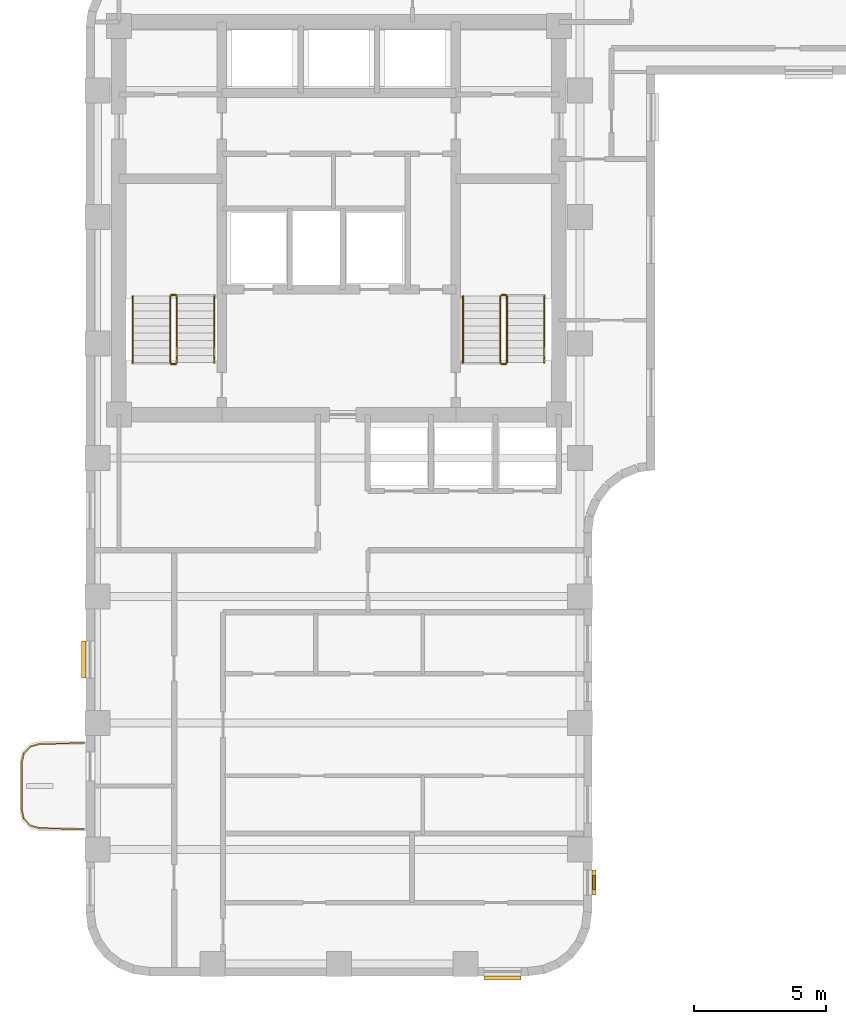
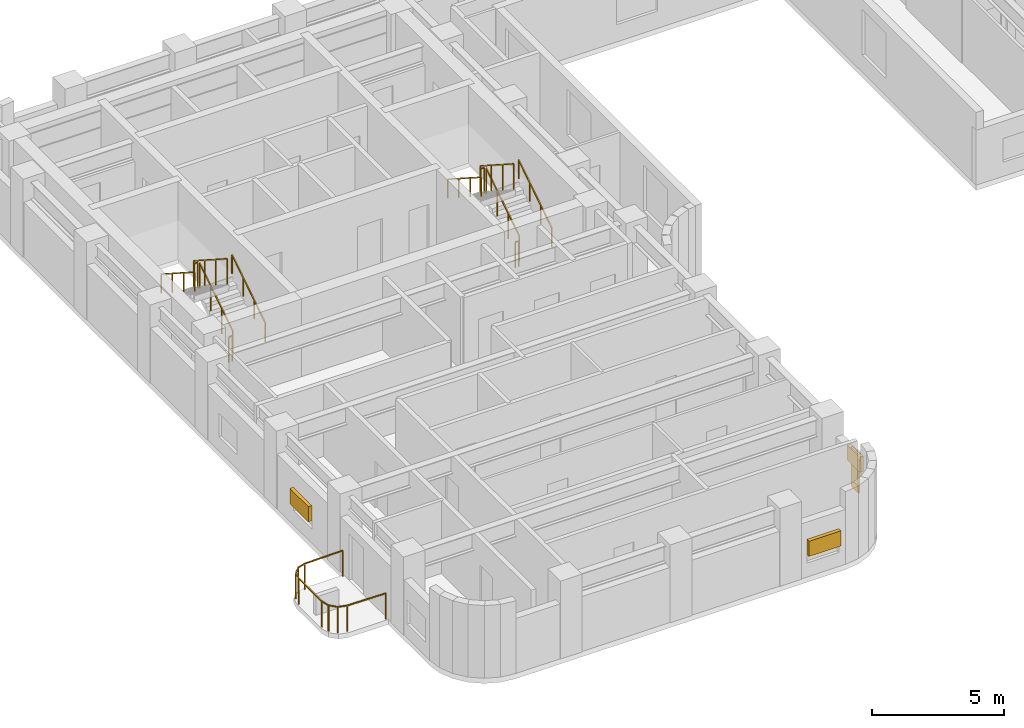
# One storey, part 7 of 9: 13 railings, 4 shading devices.
"""IFC4 building model written with IfcOpenShell, lengths in metres."""

from ifc_helpers import new_model, si_unit, direction, frame, origin, origin_2d, place, context, subcontext, project, spatial, rectangle, extrude, material, type_object, element, save


model = new_model("IFC4")

# Units and contexts
model_context = context("Model", 3, precision=1e-05, world=origin(), true_north=direction((0.0, 1.0)))
body_context = subcontext(model_context, "Body", "Model", "MODEL_VIEW")
ifc_project = project(units=[si_unit("LENGTHUNIT", "METRE"), si_unit("AREAUNIT", "SQUARE_METRE"), si_unit("VOLUMEUNIT", "CUBIC_METRE"), si_unit("PLANEANGLEUNIT", "RADIAN"), si_unit("MASSUNIT", "GRAM", prefix="KILO")], contexts=[model_context])

# Site, building, storey
site_placement = place(None, origin())
site = spatial("IfcSite", under=ifc_project, at=site_placement, CompositionType="ELEMENT")
building_placement = place(site_placement, origin())
building = spatial("IfcBuilding", under=site, at=building_placement, Name="Orvandelia Arch Residences", CompositionType="ELEMENT")
storey_placement = place(building_placement, frame((0.0, 0.0, 186.39990234375)))
storey = spatial("IfcBuildingStorey", under=building, at=storey_placement, Name="L49", CompositionType="ELEMENT", Elevation=186.39990234375)

# Railings
ifc_material_1 = material(Name="Marine-Grade Stainless Steel 316", Category="steel")
railing_type_1 = type_object("IfcRailingType", Name="GRD-BAL-1200", PredefinedType="BALUSTRADE", material=ifc_material_1)
railing_1_placement = place(storey_placement, frame((4.728271484375, 18.430419921875, 0.0)))
element("IfcRailing", 1, at=railing_1_placement, inside=storey, type_object=railing_type_1, Name="Safety Balustrade Guard GRD-L49-BAL-L49-W1-1", PredefinedType="BALUSTRADE", context=body_context, shape_type="SweptSolid", body=[
    extrude(rectangle(XDim=0.048095703125, YDim=0.048095703125, at=origin_2d()), frame((0.0, 0.0, 1.19580078125), z_axis=(-0.999834751713, -0.018178813668, 0.0), x_axis=(0.018178813668, -0.999834751713, 0.0)), (0.0, 0.0, 1.0), 1.6787109375),
    extrude(rectangle(XDim=0.048095703125, YDim=0.048095703125, at=origin_2d()), frame((-1.678466796875, -0.030517578125, 1.19580078125), z_axis=(-0.96348920644, -0.267747173792, 0.0), x_axis=(0.267747173792, -0.96348920644, 0.0)), (0.0, 0.0, 1.0), 0.36572265625),
    extrude(rectangle(XDim=0.048095703125, YDim=0.048095703125, at=origin_2d()), frame((-2.03076171875, -0.12841796875, 1.19580078125), z_axis=(-0.688627404251, -0.725115368831, 0.0), x_axis=(0.725115368831, -0.688627404251, 0.0)), (0.0, 0.0, 1.0), 0.367919921875),
    extrude(rectangle(XDim=0.048095703125, YDim=0.048095703125, at=origin_2d()), frame((-2.2841796875, -0.395263671875, 1.19580078125), z_axis=(-0.220602419982, -0.975363815352, 0.0), x_axis=(0.975363815352, -0.220602419982, 0.0)), (0.0, 0.0, 1.0), 0.373046875),
    extrude(rectangle(XDim=0.048095703125, YDim=0.048095703125, at=origin_2d()), frame((-2.366455078125, -0.759033203125, 1.19580078125), z_axis=(0.0, -1.0, 0.0), x_axis=(1.0, 0.0, 0.0)), (0.0, 0.0, 1.0), 1.74267578125),
    extrude(rectangle(XDim=0.048095703125, YDim=0.048095703125, at=origin_2d()), frame((-2.366455078125, -2.501708984375, 1.19580078125), z_axis=(0.220602419982, -0.975363815352, 0.0), x_axis=(0.975363815352, 0.220602419982, 0.0)), (0.0, 0.0, 1.0), 0.373046875),
    extrude(rectangle(XDim=0.048095703125, YDim=0.048095703125, at=origin_2d()), frame((-2.2841796875, -2.865478515625, 1.19580078125), z_axis=(0.688296224633, -0.725429739642, 0.0), x_axis=(0.725429739642, 0.688296224633, 0.0)), (0.0, 0.0, 1.0), 0.3681640625),
    extrude(rectangle(XDim=0.048095703125, YDim=0.048095703125, at=origin_2d()), frame((-2.03076171875, -3.132568359375, 1.19580078125), z_axis=(0.96348920644, -0.267747173792, 0.0), x_axis=(0.267747173792, 0.96348920644, 0.0)), (0.0, 0.0, 1.0), 0.36572265625),
    extrude(rectangle(XDim=0.048095703125, YDim=0.048095703125, at=origin_2d()), frame((-1.678466796875, -3.23046875, 1.19580078125), z_axis=(0.999837384468, -0.018033430643, 0.0), x_axis=(0.018033430643, 0.999837384468, 0.0)), (0.0, 0.0, 1.0), 1.6787109375),
    extrude(rectangle(XDim=0.0419921875, YDim=0.0419921875, at=origin_2d()), origin(), (0.0, 0.0, 1.0), 1.171875),
    extrude(rectangle(XDim=0.0419921875, YDim=0.0419921875, at=origin_2d()), frame((-1.678466796875, -0.030517578125, 0.0)), (0.0, 0.0, 1.0), 1.171875),
    extrude(rectangle(XDim=0.0419921875, YDim=0.0419921875, at=origin_2d()), frame((-2.03076171875, -0.12841796875, 0.0)), (0.0, 0.0, 1.0), 1.171875),
    extrude(rectangle(XDim=0.0419921875, YDim=0.0419921875, at=origin_2d()), frame((-2.2841796875, -0.395263671875, 0.0)), (0.0, 0.0, 1.0), 1.171875),
    extrude(rectangle(XDim=0.0419921875, YDim=0.0419921875, at=origin_2d()), frame((-2.366455078125, -0.759033203125, 0.0)), (0.0, 0.0, 1.0), 1.171875),
    extrude(rectangle(XDim=0.0419921875, YDim=0.0419921875, at=origin_2d()), frame((-2.366455078125, -2.501708984375, 0.0)), (0.0, 0.0, 1.0), 1.171875),
    extrude(rectangle(XDim=0.0419921875, YDim=0.0419921875, at=origin_2d()), frame((-2.2841796875, -2.865478515625, 0.0)), (0.0, 0.0, 1.0), 1.171875),
    extrude(rectangle(XDim=0.0419921875, YDim=0.0419921875, at=origin_2d()), frame((-2.03076171875, -3.132568359375, 0.0)), (0.0, 0.0, 1.0), 1.171875),
    extrude(rectangle(XDim=0.0419921875, YDim=0.0419921875, at=origin_2d()), frame((-1.678466796875, -3.23046875, 0.0)), (0.0, 0.0, 1.0), 1.171875),
    extrude(rectangle(XDim=0.0419921875, YDim=0.0419921875, at=origin_2d()), frame((0.0, -3.2607421875, 0.0)), (0.0, 0.0, 1.0), 1.171875),
])
ifc_material_2 = material(Name="Brushed Stainless Steel 304", Category="steel")
railing_type_2 = type_object("IfcRailingType", Name="RL-STAIR-GD1120", PredefinedType="GUARDRAIL", material=ifc_material_2)
railing_2_placement = place(storey_placement, frame((8.25, 32.8701171875, 0.18017578125)))
element("IfcRailing", 2, at=railing_2_placement, inside=storey, type_object=railing_type_2, Name="L49 ST-1 stair guard 1", PredefinedType="GUARDRAIL", context=body_context, shape_type="SweptSolid", body=[
    extrude(rectangle(XDim=0.048095703125, YDim=0.048095703125, at=origin_2d()), frame((0.0, 0.0, 1.17578125), z_axis=(0.0, 0.841175827307, 0.540761710511), x_axis=(-1.0, 0.0, 0.0)), (0.0, 0.0, 1.0), 2.99560546875),
    extrude(rectangle(XDim=0.0419921875, YDim=0.0419921875, at=origin_2d()), origin(), (0.0, 0.0, 1.0), 1.15185546875),
    extrude(rectangle(XDim=0.0419921875, YDim=0.0419921875, at=origin_2d()), frame((0.0, 0.83984375, 0.5400390625)), (0.0, 0.0, 1.0), 1.15185546875),
    extrude(rectangle(XDim=0.0419921875, YDim=0.0419921875, at=origin_2d()), frame((0.0, 1.679931640625, 1.079833984375)), (0.0, 0.0, 1.0), 1.15185546875),
    extrude(rectangle(XDim=0.0419921875, YDim=0.0419921875, at=origin_2d()), frame((0.0, 2.519775390625, 1.619873046875)), (0.0, 0.0, 1.0), 1.15185546875),
])
railing_3_placement = place(storey_placement, frame((8.199951171875, 35.43994140625, 1.800048828125)))
element("IfcRailing", 3, at=railing_3_placement, inside=storey, type_object=railing_type_2, Name="L49 ST-1 stair guard 2", PredefinedType="GUARDRAIL", context=body_context, shape_type="SweptSolid", body=[
    extrude(rectangle(XDim=0.048095703125, YDim=0.048095703125, at=origin_2d()), frame((0.0, 0.0, 1.17578125), z_axis=(-1.0, 0.0, 0.0), x_axis=(0.0, -1.0, 0.0)), (0.0, 0.0, 1.0), 0.14990234375),
    extrude(rectangle(XDim=0.0419921875, YDim=0.0419921875, at=origin_2d()), origin(), (0.0, 0.0, 1.0), 1.15185546875),
    extrude(rectangle(XDim=0.0419921875, YDim=0.0419921875, at=origin_2d()), frame((-0.14990234375, 0.0, 0.0)), (0.0, 0.0, 1.0), 1.15185546875),
])
railing_4_placement = place(storey_placement, frame((8.0, 35.389892578125, 1.97998046875)))
element("IfcRailing", 4, at=railing_4_placement, inside=storey, type_object=railing_type_2, Name="L49 ST-1 stair guard 3", PredefinedType="GUARDRAIL", context=body_context, shape_type="SweptSolid", body=[
    extrude(rectangle(XDim=0.048095703125, YDim=0.048095703125, at=origin_2d()), frame((0.0, 0.0, 1.17578125), z_axis=(0.0, -0.841138753965, 0.540819375188), x_axis=(1.0, 0.0, 0.0)), (0.0, 0.0, 1.0), 2.99560546875),
    extrude(rectangle(XDim=0.0419921875, YDim=0.0419921875, at=origin_2d()), origin(), (0.0, 0.0, 1.0), 1.15185546875),
    extrude(rectangle(XDim=0.0419921875, YDim=0.0419921875, at=origin_2d()), frame((0.0, -0.83984375, 0.5400390625)), (0.0, 0.0, 1.0), 1.15185546875),
    extrude(rectangle(XDim=0.0419921875, YDim=0.0419921875, at=origin_2d()), frame((0.0, -1.679931640625, 1.080078125)), (0.0, 0.0, 1.0), 1.15185546875),
    extrude(rectangle(XDim=0.0419921875, YDim=0.0419921875, at=origin_2d()), frame((0.0, -2.519775390625, 1.6201171875)), (0.0, 0.0, 1.0), 1.15185546875),
])
railing_5_placement = place(storey_placement, frame((8.199951171875, 32.820068359375, 0.0)))
element("IfcRailing", 5, at=railing_5_placement, inside=storey, type_object=railing_type_2, Name="L49 ST-1 stair guard 4", PredefinedType="GUARDRAIL", context=body_context, shape_type="SweptSolid", body=[
    extrude(rectangle(XDim=0.048095703125, YDim=0.048095703125, at=origin_2d()), frame((0.0, 0.0, 1.17578125), z_axis=(-1.0, 0.0, 0.0), x_axis=(0.0, -1.0, 0.0)), (0.0, 0.0, 1.0), 0.14990234375),
    extrude(rectangle(XDim=0.0419921875, YDim=0.0419921875, at=origin_2d()), origin(), (0.0, 0.0, 1.0), 1.15185546875),
    extrude(rectangle(XDim=0.0419921875, YDim=0.0419921875, at=origin_2d()), frame((-0.14990234375, 0.0, 0.0)), (0.0, 0.0, 1.0), 1.15185546875),
])
railing_6_placement = place(storey_placement, frame((20.780029296875, 32.8701171875, 0.18017578125)))
element("IfcRailing", 6, at=railing_6_placement, inside=storey, type_object=railing_type_2, Name="L49 ST-2 stair guard 1", PredefinedType="GUARDRAIL", context=body_context, shape_type="SweptSolid", body=[
    extrude(rectangle(XDim=0.048095703125, YDim=0.048095703125, at=origin_2d()), frame((0.0, 0.0, 1.17578125), z_axis=(0.0, 0.841175827307, 0.540761710511), x_axis=(-1.0, 0.0, 0.0)), (0.0, 0.0, 1.0), 2.99560546875),
    extrude(rectangle(XDim=0.0419921875, YDim=0.0419921875, at=origin_2d()), origin(), (0.0, 0.0, 1.0), 1.15185546875),
    extrude(rectangle(XDim=0.0419921875, YDim=0.0419921875, at=origin_2d()), frame((0.0, 0.83984375, 0.5400390625)), (0.0, 0.0, 1.0), 1.15185546875),
    extrude(rectangle(XDim=0.0419921875, YDim=0.0419921875, at=origin_2d()), frame((0.0, 1.679931640625, 1.079833984375)), (0.0, 0.0, 1.0), 1.15185546875),
    extrude(rectangle(XDim=0.0419921875, YDim=0.0419921875, at=origin_2d()), frame((0.0, 2.519775390625, 1.619873046875)), (0.0, 0.0, 1.0), 1.15185546875),
])
railing_7_placement = place(storey_placement, frame((20.72998046875, 35.43994140625, 1.800048828125)))
element("IfcRailing", 7, at=railing_7_placement, inside=storey, type_object=railing_type_2, Name="L49 ST-2 stair guard 2", PredefinedType="GUARDRAIL", context=body_context, shape_type="SweptSolid", body=[
    extrude(rectangle(XDim=0.048095703125, YDim=0.048095703125, at=origin_2d()), frame((0.0, 0.0, 1.17578125), z_axis=(-1.0, 0.0, 0.0), x_axis=(0.0, -1.0, 0.0)), (0.0, 0.0, 1.0), 0.14990234375),
    extrude(rectangle(XDim=0.0419921875, YDim=0.0419921875, at=origin_2d()), origin(), (0.0, 0.0, 1.0), 1.15185546875),
    extrude(rectangle(XDim=0.0419921875, YDim=0.0419921875, at=origin_2d()), frame((-0.14990234375, 0.0, 0.0)), (0.0, 0.0, 1.0), 1.15185546875),
])
railing_8_placement = place(storey_placement, frame((20.530029296875, 35.389892578125, 1.97998046875)))
element("IfcRailing", 8, at=railing_8_placement, inside=storey, type_object=railing_type_2, Name="L49 ST-2 stair guard 3", PredefinedType="GUARDRAIL", context=body_context, shape_type="SweptSolid", body=[
    extrude(rectangle(XDim=0.048095703125, YDim=0.048095703125, at=origin_2d()), frame((0.0, 0.0, 1.17578125), z_axis=(0.0, -0.841138753965, 0.540819375188), x_axis=(1.0, 0.0, 0.0)), (0.0, 0.0, 1.0), 2.99560546875),
    extrude(rectangle(XDim=0.0419921875, YDim=0.0419921875, at=origin_2d()), origin(), (0.0, 0.0, 1.0), 1.15185546875),
    extrude(rectangle(XDim=0.0419921875, YDim=0.0419921875, at=origin_2d()), frame((0.0, -0.83984375, 0.5400390625)), (0.0, 0.0, 1.0), 1.15185546875),
    extrude(rectangle(XDim=0.0419921875, YDim=0.0419921875, at=origin_2d()), frame((0.0, -1.679931640625, 1.080078125)), (0.0, 0.0, 1.0), 1.15185546875),
    extrude(rectangle(XDim=0.0419921875, YDim=0.0419921875, at=origin_2d()), frame((0.0, -2.519775390625, 1.6201171875)), (0.0, 0.0, 1.0), 1.15185546875),
])
railing_9_placement = place(storey_placement, frame((20.72998046875, 32.820068359375, 0.0)))
element("IfcRailing", 9, at=railing_9_placement, inside=storey, type_object=railing_type_2, Name="L49 ST-2 stair guard 4", PredefinedType="GUARDRAIL", context=body_context, shape_type="SweptSolid", body=[
    extrude(rectangle(XDim=0.048095703125, YDim=0.048095703125, at=origin_2d()), frame((0.0, 0.0, 1.17578125), z_axis=(-1.0, 0.0, 0.0), x_axis=(0.0, -1.0, 0.0)), (0.0, 0.0, 1.0), 0.14990234375),
    extrude(rectangle(XDim=0.0419921875, YDim=0.0419921875, at=origin_2d()), origin(), (0.0, 0.0, 1.0), 1.15185546875),
    extrude(rectangle(XDim=0.0419921875, YDim=0.0419921875, at=origin_2d()), frame((-0.14990234375, 0.0, 0.0)), (0.0, 0.0, 1.0), 1.15185546875),
])
railing_type_3 = type_object("IfcRailingType", Name="RL-STAIR-HR920", PredefinedType="HANDRAIL", material=ifc_material_2)
railing_10_placement = place(storey_placement, frame((9.669921875, 32.8701171875, 0.360107421875)))
element("IfcRailing", 10, at=railing_10_placement, inside=storey, type_object=railing_type_3, Name="L49 ST-1 stair handrail 1", PredefinedType="HANDRAIL", context=body_context, shape_type="SweptSolid", body=[
    extrude(rectangle(XDim=0.048095703125, YDim=0.048095703125, at=origin_2d()), frame((0.0, 0.0, 0.8759765625), z_axis=(0.0, 0.841175827307, 0.540761710511), x_axis=(-1.0, 0.0, 0.0)), (0.0, 0.0, 1.0), 2.99560546875),
    extrude(rectangle(XDim=0.0419921875, YDim=0.0419921875, at=origin_2d()), origin(), (0.0, 0.0, 1.0), 0.851806640625),
    extrude(rectangle(XDim=0.0419921875, YDim=0.0419921875, at=origin_2d()), frame((0.0, 0.83984375, 0.5400390625)), (0.0, 0.0, 1.0), 0.851806640625),
    extrude(rectangle(XDim=0.0419921875, YDim=0.0419921875, at=origin_2d()), frame((0.0, 1.679931640625, 1.079833984375)), (0.0, 0.0, 1.0), 0.851806640625),
    extrude(rectangle(XDim=0.0419921875, YDim=0.0419921875, at=origin_2d()), frame((0.0, 2.519775390625, 1.619873046875)), (0.0, 0.0, 1.0), 0.851806640625),
])
railing_11_placement = place(storey_placement, frame((6.580078125, 35.389892578125, 2.16015625)))
element("IfcRailing", 11, at=railing_11_placement, inside=storey, type_object=railing_type_3, Name="L49 ST-1 stair handrail 2", PredefinedType="HANDRAIL", context=body_context, shape_type="SweptSolid", body=[
    extrude(rectangle(XDim=0.048095703125, YDim=0.048095703125, at=origin_2d()), frame((0.0, 0.0, 0.8759765625), z_axis=(0.0, -0.841175827307, 0.540761710511), x_axis=(1.0, 0.0, 0.0)), (0.0, 0.0, 1.0), 2.99560546875),
    extrude(rectangle(XDim=0.0419921875, YDim=0.0419921875, at=origin_2d()), origin(), (0.0, 0.0, 1.0), 0.851806640625),
    extrude(rectangle(XDim=0.0419921875, YDim=0.0419921875, at=origin_2d()), frame((0.0, -0.83984375, 0.5400390625)), (0.0, 0.0, 1.0), 0.851806640625),
    extrude(rectangle(XDim=0.0419921875, YDim=0.0419921875, at=origin_2d()), frame((0.0, -1.679931640625, 1.079833984375)), (0.0, 0.0, 1.0), 0.851806640625),
    extrude(rectangle(XDim=0.0419921875, YDim=0.0419921875, at=origin_2d()), frame((0.0, -2.519775390625, 1.619873046875)), (0.0, 0.0, 1.0), 0.851806640625),
])
railing_12_placement = place(storey_placement, frame((22.199951171875, 32.8701171875, 0.360107421875)))
element("IfcRailing", 12, at=railing_12_placement, inside=storey, type_object=railing_type_3, Name="L49 ST-2 stair handrail 1", PredefinedType="HANDRAIL", context=body_context, shape_type="SweptSolid", body=[
    extrude(rectangle(XDim=0.048095703125, YDim=0.048095703125, at=origin_2d()), frame((0.0, 0.0, 0.8759765625), z_axis=(0.0, 0.841175827307, 0.540761710511), x_axis=(-1.0, 0.0, 0.0)), (0.0, 0.0, 1.0), 2.99560546875),
    extrude(rectangle(XDim=0.0419921875, YDim=0.0419921875, at=origin_2d()), origin(), (0.0, 0.0, 1.0), 0.851806640625),
    extrude(rectangle(XDim=0.0419921875, YDim=0.0419921875, at=origin_2d()), frame((0.0, 0.83984375, 0.5400390625)), (0.0, 0.0, 1.0), 0.851806640625),
    extrude(rectangle(XDim=0.0419921875, YDim=0.0419921875, at=origin_2d()), frame((0.0, 1.679931640625, 1.079833984375)), (0.0, 0.0, 1.0), 0.851806640625),
    extrude(rectangle(XDim=0.0419921875, YDim=0.0419921875, at=origin_2d()), frame((0.0, 2.519775390625, 1.619873046875)), (0.0, 0.0, 1.0), 0.851806640625),
])
railing_13_placement = place(storey_placement, frame((19.110107421875, 35.389892578125, 2.16015625)))
element("IfcRailing", 13, at=railing_13_placement, inside=storey, type_object=railing_type_3, Name="L49 ST-2 stair handrail 2", PredefinedType="HANDRAIL", context=body_context, shape_type="SweptSolid", body=[
    extrude(rectangle(XDim=0.048095703125, YDim=0.048095703125, at=origin_2d()), frame((0.0, 0.0, 0.8759765625), z_axis=(0.0, -0.841175827307, 0.540761710511), x_axis=(1.0, 0.0, 0.0)), (0.0, 0.0, 1.0), 2.99560546875),
    extrude(rectangle(XDim=0.0419921875, YDim=0.0419921875, at=origin_2d()), origin(), (0.0, 0.0, 1.0), 0.851806640625),
    extrude(rectangle(XDim=0.0419921875, YDim=0.0419921875, at=origin_2d()), frame((0.0, -0.83984375, 0.5400390625)), (0.0, 0.0, 1.0), 0.851806640625),
    extrude(rectangle(XDim=0.0419921875, YDim=0.0419921875, at=origin_2d()), frame((0.0, -1.679931640625, 1.079833984375)), (0.0, 0.0, 1.0), 0.851806640625),
    extrude(rectangle(XDim=0.0419921875, YDim=0.0419921875, at=origin_2d()), frame((0.0, -2.519775390625, 1.619873046875)), (0.0, 0.0, 1.0), 0.851806640625),
])

# Shading devices
ifc_material_3 = material(Name="Anodised Champagne-Bronze Extruded Aluminium", Category="aluminium")
shading_device_type_1 = type_object("IfcShadingDeviceType", Name="SHD-JALOUSIE-SCREEN", PredefinedType="JALOUSIE", material=ifc_material_3)
shading_device_1_placement = place(storey_placement, frame((24.080078125, 13.140380859375, 1.55029296875), z_axis=(0.0, 0.0, 1.0), x_axis=(0.0, -1.0, 0.0)))
element("IfcShadingDevice", 14, at=shading_device_1_placement, inside=storey, type_object=shading_device_type_1, Name="Bronze Jalousie Sun-Shade L49-006", PredefinedType="JALOUSIE", context=body_context, shape_type="SweptSolid", body=[
    extrude(rectangle(XDim=0.949951171875, YDim=0.159912109375, at=origin_2d()), origin(), (0.0, 0.0, 1.0), 0.699951171875),
])
for number, where, z_axis, x_axis, name in (
    (15, (20.617431640625, 9.52001953125, 1.05029296875), (0.0, 0.0, 1.0), (-1.0, 0.0, 0.0), "Bronze Jalousie Sun-Shade L49-007"),
    (16, (4.719970703125, 21.60009765625, 1.05029296875), (0.0, 0.0, 1.0), (0.0, 1.0, 0.0), "Bronze Jalousie Sun-Shade L49-008"),
):
    element("IfcShadingDevice", number, at=place(storey_placement, frame(where, z_axis=z_axis, x_axis=x_axis)), inside=storey, type_object=shading_device_type_1, Name=name, PredefinedType="JALOUSIE", context=body_context, shape_type="SweptSolid", body=[
        extrude(rectangle(XDim=1.39990234375, YDim=0.159912109375, at=origin_2d()), origin(), (0.0, 0.0, 1.0), 0.699951171875),
    ])
ifc_material_4 = material(Name="Marine-Grade Perforated Aluminium Storm Shutter", Category="aluminium")
shading_device_type_2 = type_object("IfcShadingDeviceType", Name="SHD-STORM-SHUTTER", PredefinedType="SHUTTER", material=ifc_material_4)
shading_device_2_placement = place(storey_placement, frame((24.080078125, 13.140380859375, 0.4501953125), z_axis=(0.0, 0.0, 1.0), x_axis=(0.0, -1.0, 0.0)))
element("IfcShadingDevice", 17, at=shading_device_2_placement, inside=storey, type_object=shading_device_type_2, Name="Operable Typhoon Storm Shutter L49-006", PredefinedType="SHUTTER", context=body_context, shape_type="SweptSolid", body=[
    extrude(rectangle(XDim=0.550048828125, YDim=0.080078125, at=origin_2d()), origin(), (0.0, 0.0, 1.0), 1.800048828125),
])

save(model, "model.ifc")
